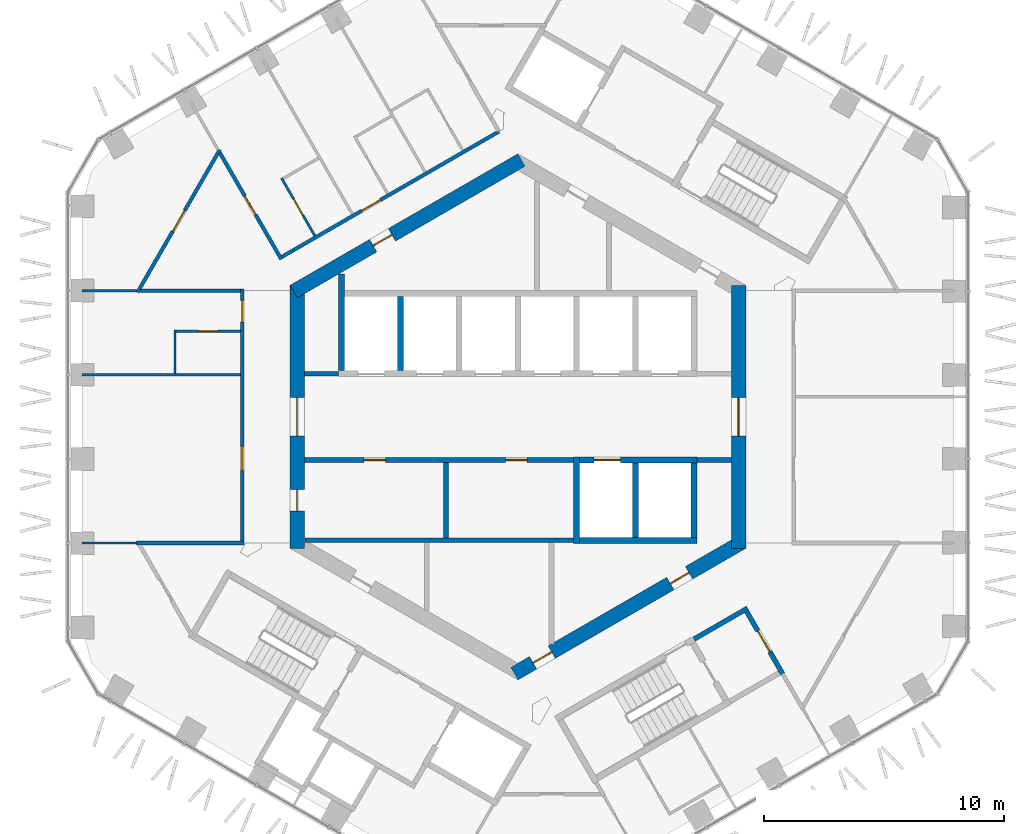
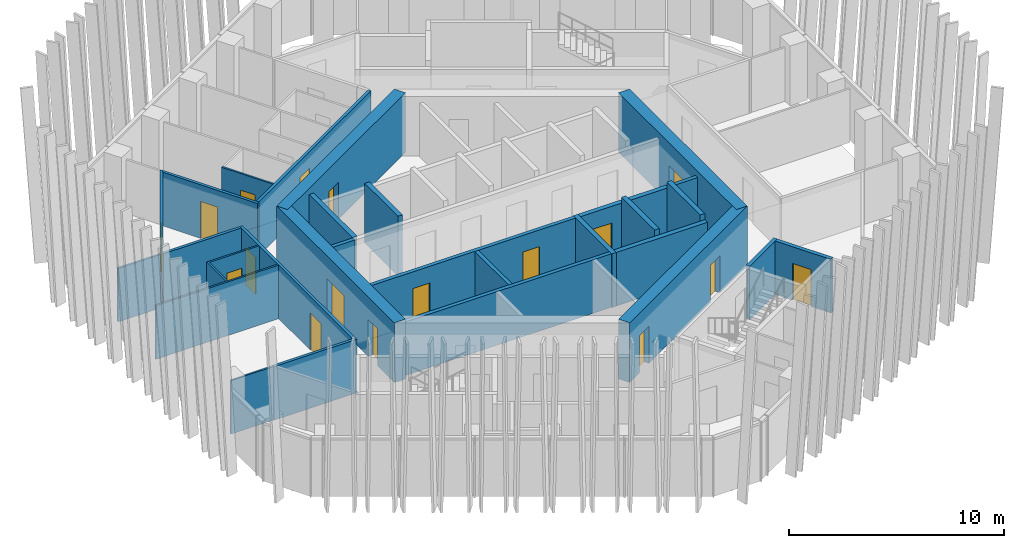
# One storey, part 14 of 21: 30 walls, 17 doors, 17 openings.
"""IFC4 building model written with IfcOpenShell, lengths in metres."""

from ifc_helpers import new_model, si_unit, direction, frame, frame_2d, origin, place, context, subcontext, project, spatial, rectangle, extrude, material, layer, layer_set, type_object, element, fill, save


model = new_model("IFC4")

# Units and contexts
model_context = context("Model", 3, precision=1e-05, world=origin(), true_north=direction((0.0, 1.0)))
body_context = subcontext(model_context, "Body", "Model", "MODEL_VIEW")
ifc_project = project(units=[si_unit("LENGTHUNIT", "METRE"), si_unit("AREAUNIT", "SQUARE_METRE"), si_unit("VOLUMEUNIT", "CUBIC_METRE"), si_unit("PLANEANGLEUNIT", "RADIAN"), si_unit("MASSUNIT", "GRAM", prefix="KILO")], contexts=[model_context])

# Site, building, storey
site_placement = place(None, origin())
site = spatial("IfcSite", under=ifc_project, at=site_placement, CompositionType="ELEMENT")
building_placement = place(site_placement, origin())
building = spatial("IfcBuilding", under=site, at=building_placement, Name="Ayvan Gate Tower", CompositionType="ELEMENT")
storey_placement = place(building_placement, frame((0.0, 0.0, 152.699951171875)))
storey = spatial("IfcBuildingStorey", under=building, at=storey_placement, Name="L40", CompositionType="ELEMENT", Elevation=152.699951171875)

# Wall, opening, door
ifc_material_1 = material(Name="Concrete C60/75", Category="concrete")
ifc_layer_1 = layer(ifc_material_1, 0.60009765625)
ifc_layer_set_1 = layer_set([ifc_layer_1], Name="Concrete C60/75")
wall_type_1 = type_object("IfcWallType", Name="Core wall 600 C60/75", PredefinedType="SHEAR", material=ifc_layer_set_1)
wall_1_placement = place(storey_placement, frame((9.199951171875, -5.48486328125, 0.0), z_axis=(0.0, 0.0, 1.0), x_axis=(0.0, 1.0, 0.0)))
wall_1 = element("IfcWall", 1, at=wall_1_placement, inside=storey, type_object=wall_type_1, Name="CORE-L40-0", PredefinedType="SHEAR", context=body_context, shape_type="SweptSolid", body=[
    extrude(rectangle(XDim=10.9697265625, YDim=0.60009765625, at=frame_2d((5.48486328125, 0.0))), origin(), (0.0, 0.0, 1.0), 3.400146484375),
])
opening_1_placement = place(wall_1_placement, frame((4.684814453125, 0.0, 0.0)))
opening_1 = element("IfcOpeningElement", 2, at=opening_1_placement, cuts=wall_1, Name="Opening L40-D51", PredefinedType="OPENING", context=body_context, shape_type="SweptSolid", body=[
    extrude(rectangle(XDim=1.60009765625, YDim=2.10009765625, at=frame_2d((0.800048828125, 1.050048828125))), frame((0.0, 0.31005859375, 0.0), z_axis=(0.0, -1.0, 0.0), x_axis=(1.0, 0.0, 0.0)), (0.0, 0.0, 1.0), 0.6201171875),
])
ifc_material_2 = material(Name="Timber door leaf", Category="wood")
door_type_1 = type_object("IfcDoorType", Name="DT-1600", OperationType="NOTDEFINED", PredefinedType="DOOR", material=ifc_material_2)
door_1_placement = place(opening_1_placement, origin())
door_1 = element("IfcDoor", 3, at=door_1_placement, inside=storey, type_object=door_type_1, Name="CD-L40-51", OperationType="SINGLE_SWING_LEFT", OverallHeight=2.10009765625, OverallWidth=1.60009765625, PredefinedType="DOOR", context=body_context, shape_type="SweptSolid", body=[
    extrude(rectangle(XDim=1.60009765625, YDim=2.10009765625, at=frame_2d((0.800048828125, 1.050048828125))), frame((0.0, 0.02490234375, 0.0), z_axis=(0.0, -1.0, 0.0), x_axis=(1.0, 0.0, 0.0)), (0.0, 0.0, 1.0), 0.050048828125),
])
fill(opening_1, door_1)

wall_2_placement = place(storey_placement, frame((0.14990234375, 10.7099609375, 0.0), z_axis=(0.0, 0.0, 1.0), x_axis=(-0.866023993627, -0.500002442456, 0.0)))
wall_2 = element("IfcWall", 4, at=wall_2_placement, inside=storey, type_object=wall_type_1, Name="CORE-L40-2", PredefinedType="SHEAR", context=body_context, shape_type="SweptSolid", body=[
    extrude(rectangle(XDim=10.9697265625, YDim=0.60009765625, at=frame_2d((5.48486328125, 0.0))), origin(), (0.0, 0.0, 1.0), 3.400146484375),
])
opening_2_placement = place(wall_2_placement, frame((6.24267578125, 0.0, 0.0)))
opening_2 = element("IfcOpeningElement", 5, at=opening_2_placement, cuts=wall_2, Name="Opening L40-D44", PredefinedType="OPENING", context=body_context, shape_type="SweptSolid", body=[
    extrude(rectangle(XDim=0.89990234375, YDim=2.10009765625, at=frame_2d((0.449951171875, 1.050048828125))), frame((0.0, 0.31005859375, 0.0), z_axis=(0.0, -1.0, 0.0), x_axis=(1.0, 0.0, 0.0)), (0.0, 0.0, 1.0), 0.6201171875),
])
door_type_2 = type_object("IfcDoorType", Name="DT-900", OperationType="NOTDEFINED", PredefinedType="DOOR", material=ifc_material_2)
door_2_placement = place(opening_2_placement, origin())
door_2 = element("IfcDoor", 6, at=door_2_placement, inside=storey, type_object=door_type_2, Name="CD-L40-44", OperationType="SINGLE_SWING_RIGHT", OverallHeight=2.10009765625, OverallWidth=0.89990234375, PredefinedType="DOOR", context=body_context, shape_type="SweptSolid", body=[
    extrude(rectangle(XDim=0.89990234375, YDim=2.10009765625, at=frame_2d((0.449951171875, 1.050048828125))), frame((0.0, 0.02490234375, 0.0), z_axis=(0.0, -1.0, 0.0), x_axis=(1.0, 0.0, 0.0)), (0.0, 0.0, 1.0), 0.050048828125),
])
fill(opening_2, door_2)

# Wall, openings, doors
wall_3_placement = place(storey_placement, frame((-9.199951171875, 5.48486328125, 0.0), z_axis=(0.0, 0.0, 1.0), x_axis=(0.0, -1.0, 0.0)))
wall_3 = element("IfcWall", 7, at=wall_3_placement, inside=storey, type_object=wall_type_1, Name="CORE-L40-3", PredefinedType="SHEAR", context=body_context, shape_type="SweptSolid", body=[
    extrude(rectangle(XDim=10.9697265625, YDim=0.60009765625, at=frame_2d((5.48486328125, 0.0))), origin(), (0.0, 0.0, 1.0), 3.400146484375),
])
opening_3_placement = place(wall_3_placement, frame((8.51611328125, 0.0, 0.0)))
opening_3 = element("IfcOpeningElement", 8, at=opening_3_placement, cuts=wall_3, Name="Opening L40-D50", PredefinedType="OPENING", context=body_context, shape_type="SweptSolid", body=[
    extrude(rectangle(XDim=0.89990234375, YDim=2.10009765625, at=frame_2d((0.449951171875, 1.050048828125))), frame((0.0, 0.31005859375, 0.0), z_axis=(0.0, -1.0, 0.0), x_axis=(1.0, 0.0, 0.0)), (0.0, 0.0, 1.0), 0.6201171875),
])
opening_4_placement = place(wall_3_placement, frame((4.684814453125, 0.0, 0.0)))
opening_4 = element("IfcOpeningElement", 9, at=opening_4_placement, cuts=wall_3, Name="Opening L40-D52", PredefinedType="OPENING", context=body_context, shape_type="SweptSolid", body=[
    extrude(rectangle(XDim=1.60009765625, YDim=2.10009765625, at=frame_2d((0.800048828125, 1.050048828125))), frame((0.0, 0.31005859375, 0.0), z_axis=(0.0, -1.0, 0.0), x_axis=(1.0, 0.0, 0.0)), (0.0, 0.0, 1.0), 0.6201171875),
])
door_3_placement = place(opening_4_placement, origin())
door_3 = element("IfcDoor", 10, at=door_3_placement, inside=storey, type_object=door_type_1, Name="CD-L40-52", OperationType="SINGLE_SWING_RIGHT", OverallHeight=2.10009765625, OverallWidth=1.60009765625, PredefinedType="DOOR", context=body_context, shape_type="SweptSolid", body=[
    extrude(rectangle(XDim=1.60009765625, YDim=2.10009765625, at=frame_2d((0.800048828125, 1.050048828125))), frame((0.0, 0.02490234375, 0.0), z_axis=(0.0, -1.0, 0.0), x_axis=(1.0, 0.0, 0.0)), (0.0, 0.0, 1.0), 0.050048828125),
])
fill(opening_4, door_3)
door_4_placement = place(opening_3_placement, origin())
door_4 = element("IfcDoor", 11, at=door_4_placement, inside=storey, type_object=door_type_2, Name="CD-L40-50", OperationType="SINGLE_SWING_RIGHT", OverallHeight=2.10009765625, OverallWidth=0.89990234375, PredefinedType="DOOR", context=body_context, shape_type="SweptSolid", body=[
    extrude(rectangle(XDim=0.89990234375, YDim=2.10009765625, at=frame_2d((0.449951171875, 1.050048828125))), frame((0.0, 0.02490234375, 0.0), z_axis=(0.0, -1.0, 0.0), x_axis=(1.0, 0.0, 0.0)), (0.0, 0.0, 1.0), 0.050048828125),
])
fill(opening_3, door_4)

wall_4_placement = place(storey_placement, frame((-0.14990234375, -10.7099609375, 0.0), z_axis=(0.0, 0.0, 1.0), x_axis=(0.866023993627, 0.500002442456, 0.0)))
wall_4 = element("IfcWall", 12, at=wall_4_placement, inside=storey, type_object=wall_type_1, Name="CORE-L40-5", PredefinedType="SHEAR", context=body_context, shape_type="SweptSolid", body=[
    extrude(rectangle(XDim=10.9697265625, YDim=0.60009765625, at=frame_2d((5.48486328125, 0.0))), origin(), (0.0, 0.0, 1.0), 3.400146484375),
])
opening_5_placement = place(wall_4_placement, frame((0.89990234375, 0.0, 0.0)))
opening_5 = element("IfcOpeningElement", 13, at=opening_5_placement, cuts=wall_4, Name="Opening L40-D48", PredefinedType="OPENING", context=body_context, shape_type="SweptSolid", body=[
    extrude(rectangle(XDim=0.89990234375, YDim=2.10009765625, at=frame_2d((0.449951171875, 1.050048828125))), frame((0.0, 0.31005859375, 0.0), z_axis=(0.0, -1.0, 0.0), x_axis=(1.0, 0.0, 0.0)), (0.0, 0.0, 1.0), 0.6201171875),
])
opening_6_placement = place(wall_4_placement, frame((7.51220703125, 0.0, 0.0)))
opening_6 = element("IfcOpeningElement", 14, at=opening_6_placement, cuts=wall_4, Name="Opening L40-D49", PredefinedType="OPENING", context=body_context, shape_type="SweptSolid", body=[
    extrude(rectangle(XDim=0.89990234375, YDim=2.10009765625, at=frame_2d((0.449951171875, 1.050048828125))), frame((0.0, 0.31005859375, 0.0), z_axis=(0.0, -1.0, 0.0), x_axis=(1.0, 0.0, 0.0)), (0.0, 0.0, 1.0), 0.6201171875),
])
door_5_placement = place(opening_5_placement, origin())
door_5 = element("IfcDoor", 15, at=door_5_placement, inside=storey, type_object=door_type_2, Name="CD-L40-48", OperationType="SINGLE_SWING_RIGHT", OverallHeight=2.10009765625, OverallWidth=0.89990234375, PredefinedType="DOOR", context=body_context, shape_type="SweptSolid", body=[
    extrude(rectangle(XDim=0.89990234375, YDim=2.10009765625, at=frame_2d((0.449951171875, 1.050048828125))), frame((0.0, 0.02490234375, 0.0), z_axis=(0.0, -1.0, 0.0), x_axis=(1.0, 0.0, 0.0)), (0.0, 0.0, 1.0), 0.050048828125),
])
fill(opening_5, door_5)
door_6_placement = place(opening_6_placement, origin())
door_6 = element("IfcDoor", 16, at=door_6_placement, inside=storey, type_object=door_type_2, Name="CD-L40-49", OperationType="SINGLE_SWING_LEFT", OverallHeight=2.10009765625, OverallWidth=0.89990234375, PredefinedType="DOOR", context=body_context, shape_type="SweptSolid", body=[
    extrude(rectangle(XDim=0.89990234375, YDim=2.10009765625, at=frame_2d((0.449951171875, 1.050048828125))), frame((0.0, 0.02490234375, 0.0), z_axis=(0.0, -1.0, 0.0), x_axis=(1.0, 0.0, 0.0)), (0.0, 0.0, 1.0), 0.050048828125),
])
fill(opening_6, door_6)

# Wall, opening, door
ifc_material_3 = material(Name="Plasterboard on steel stud", Category="steel")
ifc_layer_2 = layer(ifc_material_3, 0.14990234375)
ifc_layer_set_2 = layer_set([ifc_layer_2], Name="Plasterboard on steel stud")
wall_type_2 = type_object("IfcWallType", Name="WT-CORR-150", PredefinedType="PARTITIONING", material=ifc_layer_set_2)
wall_5_placement = place(storey_placement, frame((-15.86328125, 5.19580078125, 0.0), z_axis=(0.0, 0.0, 1.0), x_axis=(0.499991347294, 0.866030399369, 0.0)))
wall_5 = element("IfcWall", 17, at=wall_5_placement, inside=storey, type_object=wall_type_2, Name="IW-L40-001", PredefinedType="PARTITIONING", context=body_context, shape_type="SweptSolid", body=[
    extrude(rectangle(XDim=6.86376953125, YDim=0.14990234375, at=frame_2d((3.431884765625, 0.0))), origin(), (0.0, 0.0, 1.0), 3.050048828125),
])
opening_7_placement = place(wall_5_placement, frame((2.931884765625, 0.0, 0.0)))
opening_7 = element("IfcOpeningElement", 18, at=opening_7_placement, cuts=wall_5, Name="Opening L40-D27", PredefinedType="OPENING", context=body_context, shape_type="SweptSolid", body=[
    extrude(rectangle(XDim=1.0, YDim=2.10009765625, at=frame_2d((0.5, 1.050048828125))), frame((0.0, 0.0849609375, 0.0), z_axis=(0.0, -1.0, 0.0), x_axis=(1.0, 0.0, 0.0)), (0.0, 0.0, 1.0), 0.169921875),
])
door_type_3 = type_object("IfcDoorType", Name="DT-1000", OperationType="NOTDEFINED", PredefinedType="DOOR", material=ifc_material_2)
door_7_placement = place(opening_7_placement, origin())
door_7 = element("IfcDoor", 19, at=door_7_placement, inside=storey, type_object=door_type_3, Name="ID-L40-027", OperationType="SINGLE_SWING_LEFT", OverallHeight=2.10009765625, OverallWidth=1.0, PredefinedType="DOOR", context=body_context, shape_type="SweptSolid", body=[
    extrude(rectangle(XDim=1.0, YDim=2.10009765625, at=frame_2d((0.5, 1.050048828125))), frame((0.0, 0.02490234375, 0.0), z_axis=(0.0, -1.0, 0.0), x_axis=(1.0, 0.0, 0.0)), (0.0, 0.0, 1.0), 0.050048828125),
])
fill(opening_7, door_7)

# Wall
wall_6_placement = place(storey_placement, frame((-15.90087890625, -5.2607421875, 0.0), z_axis=(0.0, 0.0, 1.0), x_axis=(1.0, 0.0, 0.0)))
element("IfcWall", 20, at=wall_6_placement, inside=storey, type_object=wall_type_2, Name="IW-L40-002", PredefinedType="PARTITIONING", context=body_context, shape_type="SweptSolid", body=[
    extrude(rectangle(XDim=4.47607421875, YDim=0.14990234375, at=frame_2d((2.238037109375, 0.0))), origin(), (0.0, 0.0, 1.0), 3.050048828125),
])

# Wall, opening, door
wall_7_placement = place(storey_placement, frame((-12.431396484375, 11.01025390625, 0.0), z_axis=(0.0, 0.0, 1.0), x_axis=(0.500001430823, -0.866024577697, 0.0)))
wall_7 = element("IfcWall", 21, at=wall_7_placement, inside=storey, type_object=wall_type_2, Name="IW-L40-009", PredefinedType="PARTITIONING", context=body_context, shape_type="SweptSolid", body=[
    extrude(rectangle(XDim=5.1259765625, YDim=0.14990234375, at=frame_2d((2.56298828125, 0.0))), origin(), (0.0, 0.0, 1.0), 3.050048828125),
])
opening_8_placement = place(wall_7_placement, frame((2.075439453125, 0.0, 0.0)))
opening_8 = element("IfcOpeningElement", 22, at=opening_8_placement, cuts=wall_7, Name="Opening L40-D42", PredefinedType="OPENING", context=body_context, shape_type="SweptSolid", body=[
    extrude(rectangle(XDim=0.89990234375, YDim=2.10009765625, at=frame_2d((0.449951171875, 1.050048828125))), frame((0.0, 0.0849609375, 0.0), z_axis=(0.0, -1.0, 0.0), x_axis=(1.0, 0.0, 0.0)), (0.0, 0.0, 1.0), 0.169921875),
])
door_8_placement = place(opening_8_placement, origin())
door_8 = element("IfcDoor", 23, at=door_8_placement, inside=storey, type_object=door_type_2, Name="ID-L40-042", OperationType="SINGLE_SWING_RIGHT", OverallHeight=2.10009765625, OverallWidth=0.89990234375, PredefinedType="DOOR", context=body_context, shape_type="SweptSolid", body=[
    extrude(rectangle(XDim=0.89990234375, YDim=2.10009765625, at=frame_2d((0.449951171875, 1.050048828125))), frame((0.0, 0.02490234375, 0.0), z_axis=(0.0, -1.0, 0.0), x_axis=(1.0, 0.0, 0.0)), (0.0, 0.0, 1.0), 0.050048828125),
])
fill(opening_8, door_8)

# Wall, openings, doors
wall_8_placement = place(storey_placement, frame((-11.5, -5.185791015625, 0.0), z_axis=(0.0, 0.0, 1.0), x_axis=(0.0, 1.0, 0.0)))
wall_8 = element("IfcWall", 24, at=wall_8_placement, inside=storey, type_object=wall_type_2, Name="IW-L40-011", PredefinedType="PARTITIONING", context=body_context, shape_type="SweptSolid", body=[
    extrude(rectangle(XDim=10.521484375, YDim=0.14990234375, at=frame_2d((5.2607421875, 0.0))), origin(), (0.0, 0.0, 1.0), 3.050048828125),
])
opening_9_placement = place(wall_8_placement, frame((9.146484375, 0.0, 0.0)))
opening_9 = element("IfcOpeningElement", 25, at=opening_9_placement, cuts=wall_8, Name="Opening L40-D28", PredefinedType="OPENING", context=body_context, shape_type="SweptSolid", body=[
    extrude(rectangle(XDim=0.89990234375, YDim=2.10009765625, at=frame_2d((0.449951171875, 1.050048828125))), frame((0.0, 0.0849609375, 0.0), z_axis=(0.0, -1.0, 0.0), x_axis=(1.0, 0.0, 0.0)), (0.0, 0.0, 1.0), 0.169921875),
])
opening_10_placement = place(wall_8_placement, frame((2.95458984375, 0.0, 0.0)))
opening_10 = element("IfcOpeningElement", 26, at=opening_10_placement, cuts=wall_8, Name="Opening L40-D30", PredefinedType="OPENING", context=body_context, shape_type="SweptSolid", body=[
    extrude(rectangle(XDim=1.0, YDim=2.10009765625, at=frame_2d((0.5, 1.050048828125))), frame((0.0, 0.0849609375, 0.0), z_axis=(0.0, -1.0, 0.0), x_axis=(1.0, 0.0, 0.0)), (0.0, 0.0, 1.0), 0.169921875),
])
door_9_placement = place(opening_10_placement, origin())
door_9 = element("IfcDoor", 27, at=door_9_placement, inside=storey, type_object=door_type_3, Name="ID-L40-030", OperationType="SINGLE_SWING_RIGHT", OverallHeight=2.10009765625, OverallWidth=1.0, PredefinedType="DOOR", context=body_context, shape_type="SweptSolid", body=[
    extrude(rectangle(XDim=1.0, YDim=2.10009765625, at=frame_2d((0.5, 1.050048828125))), frame((0.0, 0.02490234375, 0.0), z_axis=(0.0, -1.0, 0.0), x_axis=(1.0, 0.0, 0.0)), (0.0, 0.0, 1.0), 0.050048828125),
])
fill(opening_10, door_9)
door_10_placement = place(opening_9_placement, origin())
door_10 = element("IfcDoor", 28, at=door_10_placement, inside=storey, type_object=door_type_2, Name="ID-L40-028", OperationType="SINGLE_SWING_RIGHT", OverallHeight=2.10009765625, OverallWidth=0.89990234375, PredefinedType="DOOR", context=body_context, shape_type="SweptSolid", body=[
    extrude(rectangle(XDim=0.89990234375, YDim=2.10009765625, at=frame_2d((0.449951171875, 1.050048828125))), frame((0.0, 0.02490234375, 0.0), z_axis=(0.0, -1.0, 0.0), x_axis=(1.0, 0.0, 0.0)), (0.0, 0.0, 1.0), 0.050048828125),
])
fill(opening_9, door_10)

# Wall
wall_9_placement = place(storey_placement, frame((-11.574951171875, 5.2607421875, 0.0), z_axis=(0.0, 0.0, 1.0), x_axis=(-1.0, 0.0, 0.0)))
element("IfcWall", 29, at=wall_9_placement, inside=storey, type_object=wall_type_2, Name="IW-L40-013", PredefinedType="PARTITIONING", context=body_context, shape_type="SweptSolid", body=[
    extrude(rectangle(XDim=4.17578125, YDim=0.14990234375, at=frame_2d((2.087890625, 0.0))), origin(), (0.0, 0.0, 1.0), 3.050048828125),
])

# Wall, opening, door
wall_10_placement = place(storey_placement, frame((-9.841064453125, 6.673583984375, 0.0), z_axis=(0.0, 0.0, 1.0), x_axis=(0.866024077368, 0.500002297414, 0.0)))
wall_10 = element("IfcWall", 30, at=wall_10_placement, inside=storey, type_object=wall_type_2, Name="IW-L40-015", PredefinedType="PARTITIONING", context=body_context, shape_type="SweptSolid", body=[
    extrude(rectangle(XDim=10.44677734375, YDim=0.14990234375, at=frame_2d((5.223388671875, 0.0))), origin(), (0.0, 0.0, 1.0), 3.050048828125),
])
opening_11_placement = place(wall_10_placement, frame((3.832275390625, 0.0, 0.0)))
opening_11 = element("IfcOpeningElement", 31, at=opening_11_placement, cuts=wall_10, Name="Opening L40-D40", PredefinedType="OPENING", context=body_context, shape_type="SweptSolid", body=[
    extrude(rectangle(XDim=0.89990234375, YDim=2.10009765625, at=frame_2d((0.449951171875, 1.050048828125))), frame((0.0, 0.0849609375, 0.0), z_axis=(0.0, -1.0, 0.0), x_axis=(1.0, 0.0, 0.0)), (0.0, 0.0, 1.0), 0.169921875),
])
door_11_placement = place(opening_11_placement, origin())
door_11 = element("IfcDoor", 32, at=door_11_placement, inside=storey, type_object=door_type_2, Name="ID-L40-040", OperationType="SINGLE_SWING_RIGHT", OverallHeight=2.10009765625, OverallWidth=0.89990234375, PredefinedType="DOOR", context=body_context, shape_type="SweptSolid", body=[
    extrude(rectangle(XDim=0.89990234375, YDim=2.10009765625, at=frame_2d((0.449951171875, 1.050048828125))), frame((0.0, 0.02490234375, 0.0), z_axis=(0.0, -1.0, 0.0), x_axis=(1.0, 0.0, 0.0)), (0.0, 0.0, 1.0), 0.050048828125),
])
fill(opening_11, door_11)

# Walls
ifc_layer_3 = layer(ifc_material_3, 0.10009765625)
ifc_layer_set_3 = layer_set([ifc_layer_3], Name="Plasterboard on steel stud")
wall_type_3 = type_object("IfcWallType", Name="WT-PART-100", PredefinedType="PARTITIONING", material=ifc_layer_set_3)
wall_11_placement = place(storey_placement, frame((-15.90087890625, 5.2607421875, 0.0), z_axis=(0.0, 0.0, 1.0), x_axis=(-1.0, 0.0, 0.0)))
element("IfcWall", 33, at=wall_11_placement, inside=storey, type_object=wall_type_3, Name="IW-L40-000", PredefinedType="PARTITIONING", context=body_context, shape_type="SweptSolid", body=[
    extrude(rectangle(XDim=2.28564453125, YDim=0.10009765625, at=frame_2d((1.142822265625, 0.0))), origin(), (0.0, 0.0, 1.0), 3.050048828125),
])
wall_12_placement = place(storey_placement, frame((-15.900634765625, -5.2607421875, 0.0), z_axis=(0.0, 0.0, 1.0), x_axis=(-1.0, 0.0, 0.0)))
element("IfcWall", 34, at=wall_12_placement, inside=storey, type_object=wall_type_3, Name="IW-L40-003", PredefinedType="PARTITIONING", context=body_context, shape_type="SweptSolid", body=[
    extrude(rectangle(XDim=2.285888671875, YDim=0.10009765625, at=frame_2d((1.14306640625, 0.0))), origin(), (0.0, 0.0, 1.0), 3.050048828125),
])
wall_13_placement = place(storey_placement, frame((-18.1865234375, 1.753662109375, 0.0), z_axis=(0.0, 0.0, 1.0), x_axis=(1.0, 0.0, 0.0)))
element("IfcWall", 35, at=wall_13_placement, inside=storey, type_object=wall_type_3, Name="IW-L40-004", PredefinedType="PARTITIONING", context=body_context, shape_type="SweptSolid", body=[
    extrude(rectangle(XDim=6.611572265625, YDim=0.10009765625, at=frame_2d((3.3056640625, 0.0))), origin(), (0.0, 0.0, 1.0), 3.050048828125),
])
wall_14_placement = place(storey_placement, frame((-14.300048828125, 3.61083984375, 0.0), z_axis=(0.0, 0.0, 1.0), x_axis=(0.0, -1.0, 0.0)))
element("IfcWall", 36, at=wall_14_placement, inside=storey, type_object=wall_type_3, Name="IW-L40-005", PredefinedType="PARTITIONING", context=body_context, shape_type="SweptSolid", body=[
    extrude(rectangle(XDim=1.80712890625, YDim=0.10009765625, at=frame_2d((0.903564453125, 0.0))), origin(), (0.0, 0.0, 1.0), 3.050048828125),
])

# Wall, opening, door
wall_15_placement = place(storey_placement, frame((-11.574951171875, 3.560791015625, 0.0), z_axis=(0.0, 0.0, 1.0), x_axis=(-1.0, 0.0, 0.0)))
wall_15 = element("IfcWall", 37, at=wall_15_placement, inside=storey, type_object=wall_type_3, Name="IW-L40-012", PredefinedType="PARTITIONING", context=body_context, shape_type="SweptSolid", body=[
    extrude(rectangle(XDim=2.675048828125, YDim=0.10009765625, at=frame_2d((1.33740234375, 0.0))), origin(), (0.0, 0.0, 1.0), 3.050048828125),
])
opening_12_placement = place(wall_15_placement, frame((0.9375, 0.0, 0.0)))
opening_12 = element("IfcOpeningElement", 38, at=opening_12_placement, cuts=wall_15, Name="Opening L40-D29", PredefinedType="OPENING", context=body_context, shape_type="SweptSolid", body=[
    extrude(rectangle(XDim=0.800048828125, YDim=2.10009765625, at=frame_2d((0.39990234375, 1.050048828125))), frame((0.0, 0.06005859375, 0.0), z_axis=(0.0, -1.0, 0.0), x_axis=(1.0, 0.0, 0.0)), (0.0, 0.0, 1.0), 0.1201171875),
])
door_type_4 = type_object("IfcDoorType", Name="DT-800", OperationType="NOTDEFINED", PredefinedType="DOOR", material=ifc_material_2)
door_12_placement = place(opening_12_placement, origin())
door_12 = element("IfcDoor", 39, at=door_12_placement, inside=storey, type_object=door_type_4, Name="ID-L40-029", OperationType="SINGLE_SWING_LEFT", OverallHeight=2.10009765625, OverallWidth=0.800048828125, PredefinedType="DOOR", context=body_context, shape_type="SweptSolid", body=[
    extrude(rectangle(XDim=0.800048828125, YDim=2.10009765625, at=frame_2d((0.39990234375, 1.050048828125))), frame((0.0, 0.02490234375, 0.0), z_axis=(0.0, -1.0, 0.0), x_axis=(1.0, 0.0, 0.0)), (0.0, 0.0, 1.0), 0.050048828125),
])
fill(opening_12, door_12)

wall_16_placement = place(storey_placement, frame((-9.858642578125, 9.954345703125, 0.0), z_axis=(0.0, 0.0, 1.0), x_axis=(0.499971228071, -0.866042014628, 0.0)))
wall_16 = element("IfcWall", 40, at=wall_16_placement, inside=storey, type_object=wall_type_3, Name="IW-L40-016", PredefinedType="PARTITIONING", context=body_context, shape_type="SweptSolid", body=[
    extrude(rectangle(XDim=2.775146484375, YDim=0.10009765625, at=frame_2d((1.3876953125, 0.0))), origin(), (0.0, 0.0, 1.0), 3.050048828125),
])
opening_13_placement = place(wall_16_placement, frame((1.012451171875, 0.0, 0.0)))
opening_13 = element("IfcOpeningElement", 41, at=opening_13_placement, cuts=wall_16, Name="Opening L40-D43", PredefinedType="OPENING", context=body_context, shape_type="SweptSolid", body=[
    extrude(rectangle(XDim=0.800048828125, YDim=2.10009765625, at=frame_2d((0.39990234375, 1.050048828125))), frame((0.0, 0.06005859375, 0.0), z_axis=(0.0, -1.0, 0.0), x_axis=(1.0, 0.0, 0.0)), (0.0, 0.0, 1.0), 0.1201171875),
])
door_13_placement = place(opening_13_placement, origin())
door_13 = element("IfcDoor", 42, at=door_13_placement, inside=storey, type_object=door_type_4, Name="ID-L40-043", OperationType="SINGLE_SWING_LEFT", OverallHeight=2.10009765625, OverallWidth=0.800048828125, PredefinedType="DOOR", context=body_context, shape_type="SweptSolid", body=[
    extrude(rectangle(XDim=0.800048828125, YDim=2.10009765625, at=frame_2d((0.39990234375, 1.050048828125))), frame((0.0, 0.02490234375, 0.0), z_axis=(0.0, -1.0, 0.0), x_axis=(1.0, 0.0, 0.0)), (0.0, 0.0, 1.0), 0.050048828125),
])
fill(opening_13, door_13)

# Walls
ifc_layer_4 = layer(ifc_material_3, 0.199951171875)
ifc_layer_set_4 = layer_set([ifc_layer_4], Name="Plasterboard on steel stud")
wall_type_4 = type_object("IfcWallType", Name="WT-RATED-200", PredefinedType="PARTITIONING", material=ifc_layer_set_4)
wall_17_placement = place(storey_placement, frame((-8.89990234375, 1.800048828125, 0.0), z_axis=(0.0, 0.0, 1.0), x_axis=(1.0, 0.0, 0.0)))
element("IfcWall", 43, at=wall_17_placement, inside=storey, type_object=wall_type_4, Name="IW-L40-020", PredefinedType="PARTITIONING", context=body_context, shape_type="SweptSolid", body=[
    extrude(rectangle(XDim=1.425048828125, YDim=0.199951171875, at=frame_2d((0.71240234375, 0.0))), origin(), (0.0, 0.0, 1.0), 3.050048828125),
])
wall_18_placement = place(storey_placement, frame((-8.8798828125, -5.14990234375, 0.0), z_axis=(0.0, 0.0, 1.0), x_axis=(1.0, 0.0, 0.0)))
element("IfcWall", 44, at=wall_18_placement, inside=storey, type_object=wall_type_4, Name="IW-L40-021", PredefinedType="PARTITIONING", context=body_context, shape_type="SweptSolid", body=[
    extrude(rectangle(XDim=11.205078125, YDim=0.199951171875, at=frame_2d((5.6025390625, 0.0))), origin(), (0.0, 0.0, 1.0), 3.050048828125),
])
wall_19_placement = place(storey_placement, frame((-3.0, -1.89990234375, 0.0), z_axis=(0.0, 0.0, 1.0), x_axis=(0.0, -1.0, 0.0)))
element("IfcWall", 45, at=wall_19_placement, inside=storey, type_object=wall_type_4, Name="IW-L40-044", PredefinedType="PARTITIONING", context=body_context, shape_type="SweptSolid", body=[
    extrude(rectangle(XDim=3.150146484375, YDim=0.199951171875, at=frame_2d((1.5751953125, 0.0))), origin(), (0.0, 0.0, 1.0), 3.050048828125),
])

# Wall, openings, doors
wall_20_placement = place(storey_placement, frame((-8.89990234375, -1.800048828125, 0.0), z_axis=(0.0, 0.0, 1.0), x_axis=(1.0, 0.0, 0.0)))
wall_20 = element("IfcWall", 46, at=wall_20_placement, inside=storey, type_object=wall_type_4, Name="IW-L40-045", PredefinedType="PARTITIONING", context=body_context, shape_type="SweptSolid", body=[
    extrude(rectangle(XDim=11.22509765625, YDim=0.199951171875, at=frame_2d((5.612548828125, 0.0))), origin(), (0.0, 0.0, 1.0), 3.050048828125),
])
opening_14_placement = place(wall_20_placement, frame((2.485107421875, 0.0, 0.0)))
opening_14 = element("IfcOpeningElement", 47, at=opening_14_placement, cuts=wall_20, Name="Opening L40-D08", PredefinedType="OPENING", context=body_context, shape_type="SweptSolid", body=[
    extrude(rectangle(XDim=0.89990234375, YDim=2.10009765625, at=frame_2d((0.449951171875, 1.050048828125))), frame((0.0, 0.10986328125, 0.0), z_axis=(0.0, -1.0, 0.0), x_axis=(1.0, 0.0, 0.0)), (0.0, 0.0, 1.0), 0.219970703125),
])
opening_15_placement = place(wall_20_placement, frame((8.387451171875, 0.0, 0.0)))
opening_15 = element("IfcOpeningElement", 48, at=opening_15_placement, cuts=wall_20, Name="Opening L40-D09", PredefinedType="OPENING", context=body_context, shape_type="SweptSolid", body=[
    extrude(rectangle(XDim=0.89990234375, YDim=2.10009765625, at=frame_2d((0.449951171875, 1.050048828125))), frame((0.0, 0.10986328125, 0.0), z_axis=(0.0, -1.0, 0.0), x_axis=(1.0, 0.0, 0.0)), (0.0, 0.0, 1.0), 0.219970703125),
])
door_14_placement = place(opening_14_placement, origin())
door_14 = element("IfcDoor", 49, at=door_14_placement, inside=storey, type_object=door_type_2, Name="ID-L40-008", OperationType="SINGLE_SWING_RIGHT", OverallHeight=2.10009765625, OverallWidth=0.89990234375, PredefinedType="DOOR", context=body_context, shape_type="SweptSolid", body=[
    extrude(rectangle(XDim=0.89990234375, YDim=2.10009765625, at=frame_2d((0.449951171875, 1.050048828125))), frame((0.0, 0.02490234375, 0.0), z_axis=(0.0, -1.0, 0.0), x_axis=(1.0, 0.0, 0.0)), (0.0, 0.0, 1.0), 0.050048828125),
])
fill(opening_14, door_14)
door_15_placement = place(opening_15_placement, origin())
door_15 = element("IfcDoor", 50, at=door_15_placement, inside=storey, type_object=door_type_2, Name="ID-L40-009", OperationType="SINGLE_SWING_LEFT", OverallHeight=2.10009765625, OverallWidth=0.89990234375, PredefinedType="DOOR", context=body_context, shape_type="SweptSolid", body=[
    extrude(rectangle(XDim=0.89990234375, YDim=2.10009765625, at=frame_2d((0.449951171875, 1.050048828125))), frame((0.0, 0.02490234375, 0.0), z_axis=(0.0, -1.0, 0.0), x_axis=(1.0, 0.0, 0.0)), (0.0, 0.0, 1.0), 0.050048828125),
])
fill(opening_15, door_15)

# Walls
wall_21_placement = place(storey_placement, frame((7.343994140625, -9.27001953125, 0.0), z_axis=(0.0, 0.0, 1.0), x_axis=(0.866005588531, 0.500034319456, 0.0)))
element("IfcWall", 51, at=wall_21_placement, inside=storey, type_object=wall_type_4, Name="IW-L40-085", PredefinedType="PARTITIONING", context=body_context, shape_type="SweptSolid", body=[
    extrude(rectangle(XDim=2.574951171875, YDim=0.199951171875, at=frame_2d((1.28759765625, 0.0))), origin(), (0.0, 0.0, 1.0), 3.050048828125),
])
wall_22_placement = place(storey_placement, frame((8.89990234375, -1.800048828125, 0.0), z_axis=(0.0, 0.0, 1.0), x_axis=(-1.0, 0.0, 0.0)))
element("IfcWall", 52, at=wall_22_placement, inside=storey, type_object=wall_type_4, Name="IW-L40-092", PredefinedType="PARTITIONING", context=body_context, shape_type="SweptSolid", body=[
    extrude(rectangle(XDim=1.425048828125, YDim=0.199951171875, at=frame_2d((0.71240234375, 0.0))), origin(), (0.0, 0.0, 1.0), 3.050048828125),
])

# Wall, opening, door
wall_23_placement = place(storey_placement, frame((9.537353515625, -8.119140625, 0.0), z_axis=(0.0, 0.0, 1.0), x_axis=(0.499990139034, -0.866031096941, 0.0)))
wall_23 = element("IfcWall", 53, at=wall_23_placement, inside=storey, type_object=wall_type_4, Name="IW-L40-093", PredefinedType="PARTITIONING", context=body_context, shape_type="SweptSolid", body=[
    extrude(rectangle(XDim=3.0, YDim=0.199951171875, at=frame_2d((1.5, 0.0))), origin(), (0.0, 0.0, 1.0), 3.050048828125),
])
opening_16_placement = place(wall_23_placement, frame((0.93505859375, 0.0, 0.0)))
opening_16 = element("IfcOpeningElement", 54, at=opening_16_placement, cuts=wall_23, Name="Opening L40-D19", PredefinedType="OPENING", context=body_context, shape_type="SweptSolid", body=[
    extrude(rectangle(XDim=1.0, YDim=2.10009765625, at=frame_2d((0.5, 1.050048828125))), frame((0.0, 0.10986328125, 0.0), z_axis=(0.0, -1.0, 0.0), x_axis=(1.0, 0.0, 0.0)), (0.0, 0.0, 1.0), 0.219970703125),
])
door_16_placement = place(opening_16_placement, origin())
door_16 = element("IfcDoor", 55, at=door_16_placement, inside=storey, type_object=door_type_3, Name="ID-L40-019", OperationType="SINGLE_SWING_LEFT", OverallHeight=2.10009765625, OverallWidth=1.0, PredefinedType="DOOR", context=body_context, shape_type="SweptSolid", body=[
    extrude(rectangle(XDim=1.0, YDim=2.10009765625, at=frame_2d((0.5, 1.050048828125))), frame((0.0, 0.02490234375, 0.0), z_axis=(0.0, -1.0, 0.0), x_axis=(1.0, 0.0, 0.0)), (0.0, 0.0, 1.0), 0.050048828125),
])
fill(opening_16, door_16)

# Walls
ifc_material_4 = material(Name="Concrete C50/60", Category="concrete")
ifc_layer_5 = layer(ifc_material_4, 0.25)
ifc_layer_set_5 = layer_set([ifc_layer_5], Name="Concrete C50/60")
wall_type_5 = type_object("IfcWallType", Name="WT-RC-250", PredefinedType="SHEAR", material=ifc_layer_set_5)
wall_24_placement = place(storey_placement, frame((-7.35009765625, 1.925048828125, 0.0), z_axis=(0.0, 0.0, 1.0), x_axis=(0.0, 1.0, 0.0)))
element("IfcWall", 56, at=wall_24_placement, inside=storey, type_object=wall_type_5, Name="IW-L40-028", PredefinedType="SHEAR", context=body_context, shape_type="SweptSolid", body=[
    extrude(rectangle(XDim=4.0361328125, YDim=0.25, at=frame_2d((2.01806640625, 0.0))), origin(), (0.0, 0.0, 1.0), 3.050048828125),
])
wall_25_placement = place(storey_placement, frame((-4.89990234375, 5.02490234375, 0.0), z_axis=(0.0, 0.0, 1.0), x_axis=(0.0, -1.0, 0.0)))
element("IfcWall", 57, at=wall_25_placement, inside=storey, type_object=wall_type_5, Name="IW-L40-037", PredefinedType="SHEAR", context=body_context, shape_type="SweptSolid", body=[
    extrude(rectangle(XDim=3.099853515625, YDim=0.25, at=frame_2d((1.5498046875, 0.0))), origin(), (0.0, 0.0, 1.0), 3.400146484375),
])
wall_26_placement = place(storey_placement, frame((2.449951171875, -5.27490234375, 0.0), z_axis=(0.0, 0.0, 1.0), x_axis=(0.0, 1.0, 0.0)))
element("IfcWall", 58, at=wall_26_placement, inside=storey, type_object=wall_type_5, Name="IW-L40-062", PredefinedType="SHEAR", context=body_context, shape_type="SweptSolid", body=[
    extrude(rectangle(XDim=3.599853515625, YDim=0.25, at=frame_2d((1.7998046875, 0.0))), origin(), (0.0, 0.0, 1.0), 3.050048828125),
])
wall_27_placement = place(storey_placement, frame((2.574951171875, -5.14990234375, 0.0), z_axis=(0.0, 0.0, 1.0), x_axis=(1.0, 0.0, 0.0)))
element("IfcWall", 59, at=wall_27_placement, inside=storey, type_object=wall_type_5, Name="IW-L40-074", PredefinedType="SHEAR", context=body_context, shape_type="SweptSolid", body=[
    extrude(rectangle(XDim=4.900146484375, YDim=0.25, at=frame_2d((2.4501953125, 0.0))), origin(), (0.0, 0.0, 1.0), 3.050048828125),
])
wall_28_placement = place(storey_placement, frame((4.89990234375, -1.925048828125, 0.0), z_axis=(0.0, 0.0, 1.0), x_axis=(0.0, -1.0, 0.0)))
element("IfcWall", 60, at=wall_28_placement, inside=storey, type_object=wall_type_5, Name="IW-L40-075", PredefinedType="SHEAR", context=body_context, shape_type="SweptSolid", body=[
    extrude(rectangle(XDim=3.099853515625, YDim=0.25, at=frame_2d((1.5498046875, 0.0))), origin(), (0.0, 0.0, 1.0), 3.400146484375),
])

# Wall, opening, door
wall_29_placement = place(storey_placement, frame((2.574951171875, -1.800048828125, 0.0), z_axis=(0.0, 0.0, 1.0), x_axis=(1.0, 0.0, 0.0)))
wall_29 = element("IfcWall", 61, at=wall_29_placement, inside=storey, type_object=wall_type_5, Name="IW-L40-077", PredefinedType="SHEAR", context=body_context, shape_type="SweptSolid", body=[
    extrude(rectangle(XDim=4.900146484375, YDim=0.25, at=frame_2d((2.4501953125, 0.0))), origin(), (0.0, 0.0, 1.0), 3.050048828125),
])
opening_17_placement = place(wall_29_placement, frame((0.597412109375, 0.0, 0.0)))
opening_17 = element("IfcOpeningElement", 62, at=opening_17_placement, cuts=wall_29, Name="Opening L40-LD-SV", PredefinedType="OPENING", context=body_context, shape_type="SweptSolid", body=[
    extrude(rectangle(XDim=1.10009765625, YDim=2.10009765625, at=frame_2d((0.550048828125, 1.050048828125))), frame((0.0, 0.135009765625, 0.0), z_axis=(0.0, -1.0, 0.0), x_axis=(1.0, 0.0, 0.0)), (0.0, 0.0, 1.0), 0.27001953125),
])
ifc_material_5 = material(Name="Stainless steel landing door", Category="steel")
door_type_5 = type_object("IfcDoorType", Name="DT-LANDING-1100", OperationType="SLIDING_TO_LEFT", PredefinedType="DOOR", material=ifc_material_5)
door_17_placement = place(opening_17_placement, origin())
door_17 = element("IfcDoor", 63, at=door_17_placement, inside=storey, type_object=door_type_5, Name="ID-L40-007", OperationType="SLIDING_TO_LEFT", OverallHeight=2.10009765625, OverallWidth=1.10009765625, PredefinedType="DOOR", context=body_context, shape_type="SweptSolid", body=[
    extrude(rectangle(XDim=1.10009765625, YDim=2.10009765625, at=frame_2d((0.550048828125, 1.050048828125))), frame((0.0, 0.02490234375, 0.0), z_axis=(0.0, -1.0, 0.0), x_axis=(1.0, 0.0, 0.0)), (0.0, 0.0, 1.0), 0.050048828125),
])
fill(opening_17, door_17)

# Wall
wall_30_placement = place(storey_placement, frame((7.35009765625, -1.925048828125, 0.0), z_axis=(0.0, 0.0, 1.0), x_axis=(0.0, -1.0, 0.0)))
element("IfcWall", 64, at=wall_30_placement, inside=storey, type_object=wall_type_5, Name="IW-L40-087", PredefinedType="SHEAR", context=body_context, shape_type="SweptSolid", body=[
    extrude(rectangle(XDim=3.099853515625, YDim=0.25, at=frame_2d((1.5498046875, 0.0))), origin(), (0.0, 0.0, 1.0), 3.400146484375),
])

save(model, "model.ifc")
